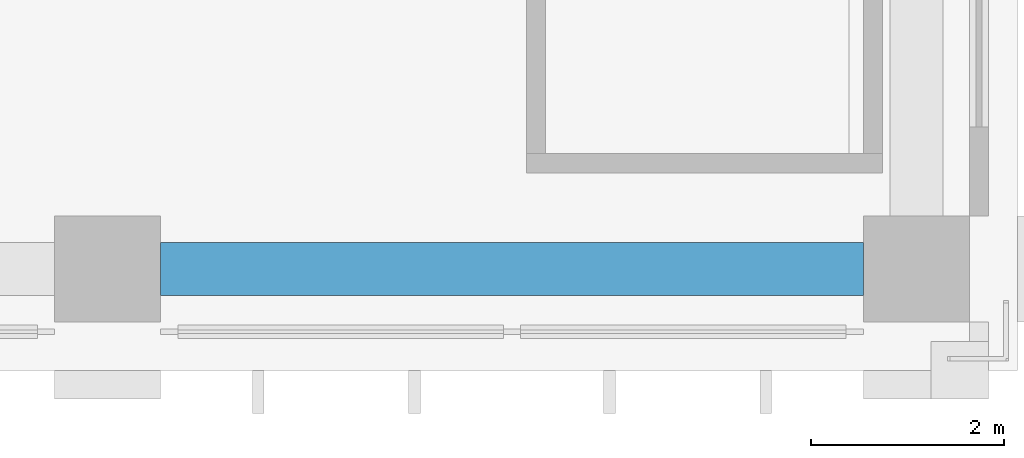
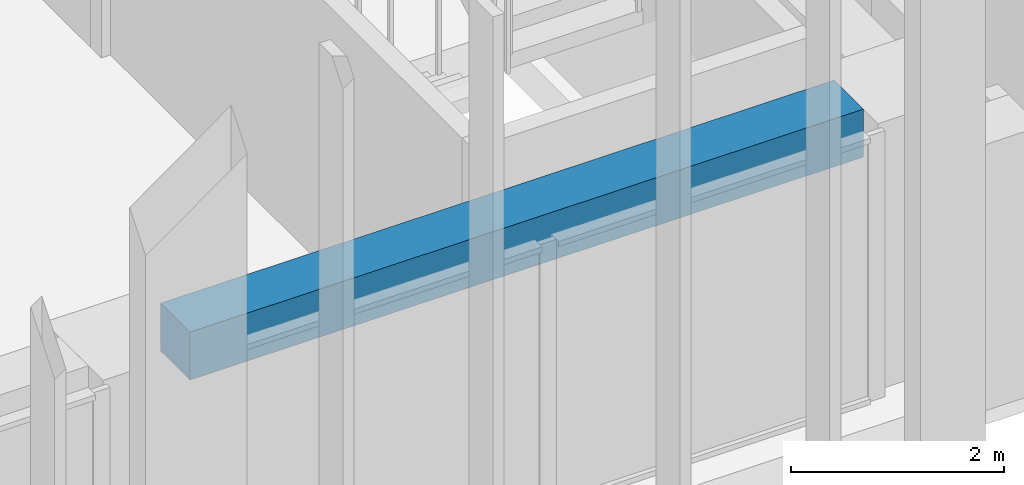
# One storey, part 3 of 17: 1 beam.
"""IFC4 building model written with IfcOpenShell, lengths in metres."""

from ifc_helpers import new_model, si_unit, direction, frame, origin, origin_2d, place, context, subcontext, project, spatial, rectangle, extrude, material, material_profile, profile_set, type_object, element, save


model = new_model("IFC4")

# Units and contexts
model_context = context("Model", 3, precision=1e-05, world=origin(), true_north=direction((0.0, 1.0)))
body_context = subcontext(model_context, "Body", "Model", "MODEL_VIEW")
ifc_project = project(units=[si_unit("LENGTHUNIT", "METRE"), si_unit("AREAUNIT", "SQUARE_METRE"), si_unit("VOLUMEUNIT", "CUBIC_METRE"), si_unit("PLANEANGLEUNIT", "RADIAN"), si_unit("MASSUNIT", "GRAM", prefix="KILO")], contexts=[model_context])

# Site, building, storey
site_placement = place(None, origin())
site = spatial("IfcSite", under=ifc_project, at=site_placement, CompositionType="ELEMENT")
building_placement = place(site_placement, origin())
building = spatial("IfcBuilding", under=site, at=building_placement, Name="Vermilion Ogive Tower", CompositionType="ELEMENT")
storey_placement = place(building_placement, frame((0.0, 0.0, 157.25)))
storey = spatial("IfcBuildingStorey", under=building, at=storey_placement, Name="L40", CompositionType="ELEMENT", Elevation=157.25)

# Beam
ifc_material = material(Name="Concrete B45", Category="concrete")
ifc_material_profile = material_profile(ifc_material, rectangle(XDim=0.550048828125, YDim=0.550048828125, at=origin_2d()), Name="550 x 550")
ifc_profile_set = profile_set([ifc_material_profile], Name="Concrete B45")
beam_type = type_object("IfcBeamType", Name="Edge beam 550 x 550 B45", PredefinedType="BEAM", material=ifc_profile_set)
beam_placement = place(storey_placement, frame((4.75, -21.0, 2.77490234375), z_axis=(1.0, 0.0, 0.0), x_axis=(0.0, 1.0, 0.0)))
element("IfcBeam", 1, at=beam_placement, inside=storey, type_object=beam_type, Name="L40-EB-3", PredefinedType="BEAM", context=body_context, shape_type="SweptSolid", body=[
    extrude(rectangle(XDim=0.550048828125, YDim=0.550048828125, at=origin_2d()), origin(), (0.0, 0.0, 1.0), 7.300048828125),
])

save(model, "model.ifc")
